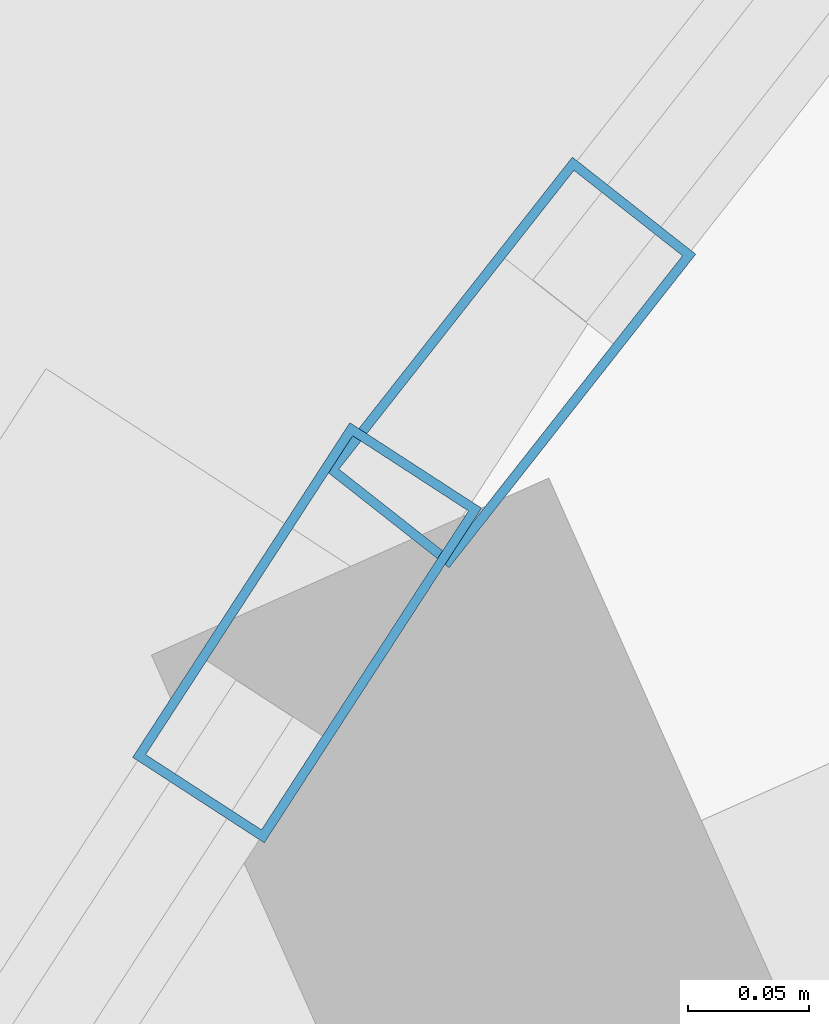
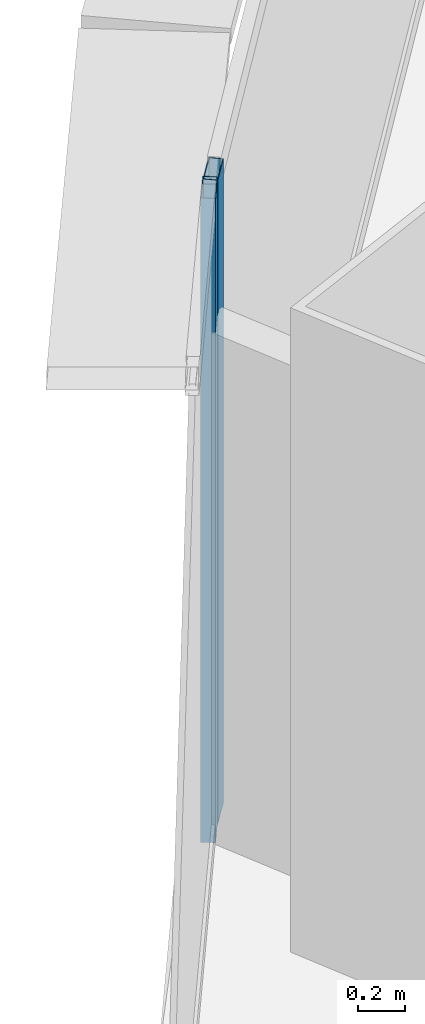
# One storey, part 18 of 37: 2 members, 2 elements without a shape of their own.
"""IFC4 building model written with IfcOpenShell, lengths in metres."""

from ifc_helpers import new_model, si_unit, direction, frame, origin, origin_2d, place, context, subcontext, project, spatial, hollow_rectangle, extrude, source, transform, mapped, material, layer, layer_set, material_profile, profile_set, type_object, element, aggregate, save


model = new_model("IFC4")

# Units and contexts
model_context = context("Model", 3, precision=1e-05, world=origin(), true_north=direction((0.0, 1.0)))
body_context = subcontext(model_context, "Body", "Model", "MODEL_VIEW")
ifc_project = project(units=[si_unit("LENGTHUNIT", "METRE"), si_unit("AREAUNIT", "SQUARE_METRE"), si_unit("VOLUMEUNIT", "CUBIC_METRE"), si_unit("PLANEANGLEUNIT", "RADIAN"), si_unit("MASSUNIT", "GRAM", prefix="KILO"), si_unit("THERMODYNAMICTEMPERATUREUNIT", "KELVIN"), si_unit("POWERUNIT", "WATT")], contexts=[model_context])

# Site, building, storey
site_placement = place(None, origin())
site = spatial("IfcSite", under=ifc_project, at=site_placement, CompositionType="ELEMENT")
building_placement = place(site_placement, origin())
building = spatial("IfcBuilding", under=site, at=building_placement, Name="Yunzhuo Pagoda Commons", CompositionType="ELEMENT")
storey_placement = place(building_placement, frame((0.0, 0.0, 55.81005859375)))
storey = spatial("IfcBuildingStorey", under=building, at=storey_placement, Name="L14", CompositionType="ELEMENT", Elevation=55.81005859375)

# Curtain wall, member
ifc_material = material(Name="Anodized aluminium 6063-T6", Category="aluminium")
ifc_layer = layer(ifc_material, 0.1650390625)
ifc_layer_set = layer_set([ifc_layer], Name="Anodized aluminium 6063-T6")
curtain_wall_type = type_object("IfcCurtainWallType", Name="CW-LOW Low-Zone Ribbon Curtain Wall", PredefinedType="NOTDEFINED", material=ifc_layer_set)
curtain_wall_1_placement = place(storey_placement, origin())
curtain_wall_1 = element("IfcCurtainWall", 1, at=curtain_wall_1_placement, inside=storey, type_object=curtain_wall_type, Name="L14 curtain wall CW-L14-F3B2", PredefinedType="NOTDEFINED")
ifc_material_profile = material_profile(ifc_material, hollow_rectangle(XDim=0.06494140625, YDim=0.1650390625, WallThickness=0.00390625, at=origin_2d()), Name="Anodized aluminium 6063-T6")
ifc_profile_set = profile_set([ifc_material_profile], Name="Anodized aluminium 6063-T6")
member_type = type_object("IfcMemberType", Name="CW-LOW-M Mullion RHS 165x65x4", PredefinedType="MULLION", material=ifc_profile_set)
shared_shape = source(origin(), body_context, "Body", "SweptSolid", [
    extrude(hollow_rectangle(XDim=0.06494140625, YDim=0.1650390625, WallThickness=0.00390625, at=origin_2d()), origin(), (0.0, 0.0, 1.0), 3.369873046875),
])
member_1_placement = place(storey_placement, frame((30.810546875, 72.240966796875, 0.0), z_axis=(0.0, 0.0, 1.0), x_axis=(0.838776712394, -0.544475552018, 0.0)))
member_1 = element("IfcMember", 2, at=member_1_placement, type_object=member_type, Name="CW mullion 1", PredefinedType="MULLION", context=body_context, shape_type="MappedRepresentation", body=[
    mapped(shared_shape, transform((0.0, 0.0, 0.0), scale=1.0)),
])
aggregate(curtain_wall_1, [member_1])

curtain_wall_2_placement = place(storey_placement, origin())
curtain_wall_2 = element("IfcCurtainWall", 3, at=curtain_wall_2_placement, inside=storey, type_object=curtain_wall_type, Name="L14 curtain wall CW-L14-F3B1", PredefinedType="NOTDEFINED")
member_2_placement = place(storey_placement, frame((30.894775390625, 72.352783203125, 0.0), z_axis=(0.0, 0.0, 1.0), x_axis=(0.785963833081, -0.618272474794, 0.0)))
member_2 = element("IfcMember", 4, at=member_2_placement, type_object=member_type, Name="CW mullion 2", PredefinedType="MULLION", context=body_context, shape_type="MappedRepresentation", body=[
    mapped(shared_shape, transform((0.0, 0.0, 0.0), scale=1.0)),
])
aggregate(curtain_wall_2, [member_2])

save(model, "model.ifc")
